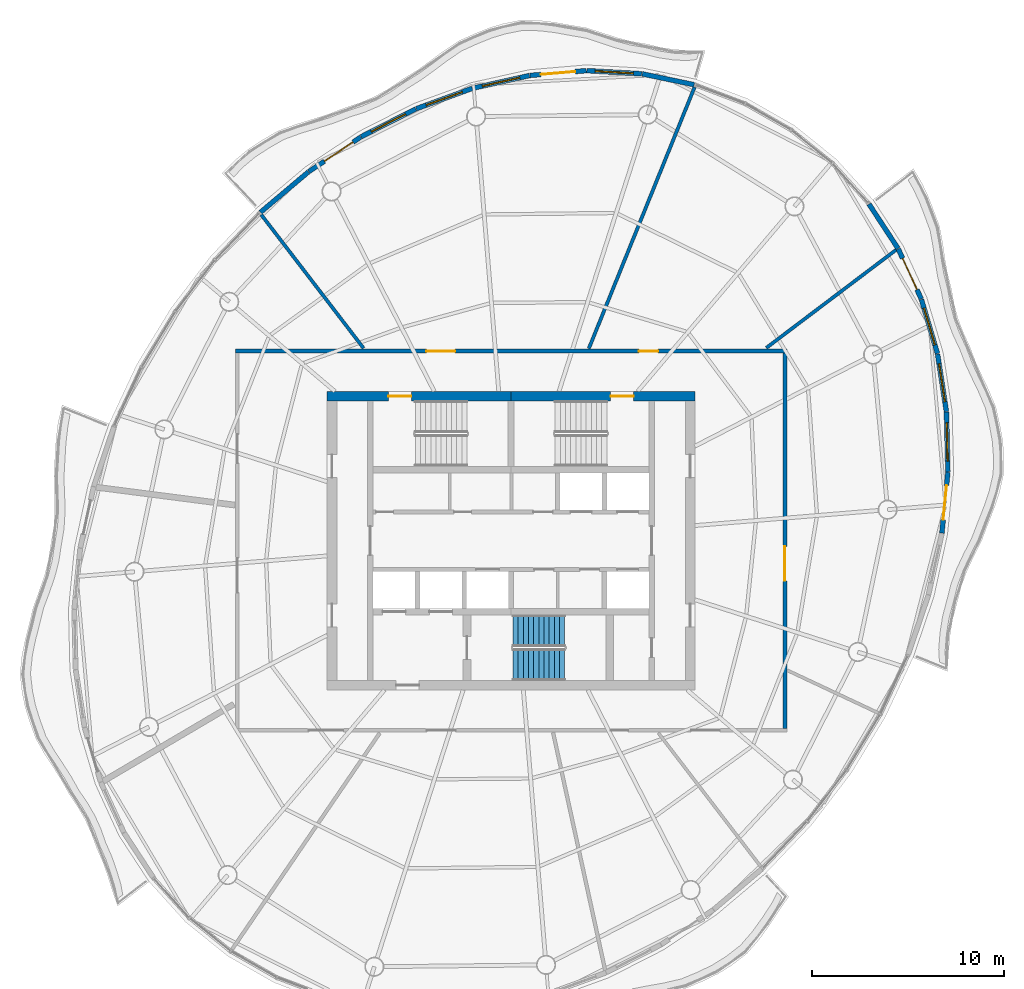
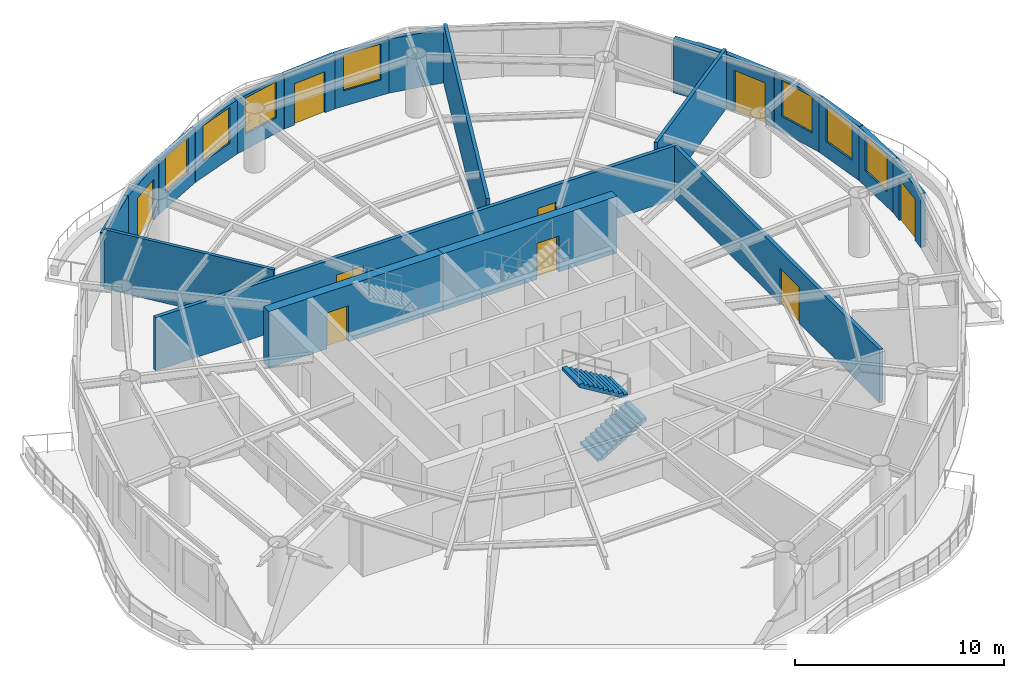
# One storey, part 10 of 14: 21 walls, 9 doors, 7 windows, 2 stair flights, 16 openings, 1 element without a shape of its own.
"""IFC4 building model written with IfcOpenShell, lengths in metres."""

from ifc_helpers import new_model, si_unit, direction, frame, frame_2d, origin, place, context, subcontext, project, spatial, polyline, rectangle, outline, extrude, material, layer, layer_set, type_object, element, fill, aggregate, save


model = new_model("IFC4")

# Units and contexts
model_context = context("Model", 3, precision=1e-05, world=origin(), true_north=direction((0.0, 1.0)))
body_context = subcontext(model_context, "Body", "Model", "MODEL_VIEW")
ifc_project = project(units=[si_unit("LENGTHUNIT", "METRE"), si_unit("AREAUNIT", "SQUARE_METRE"), si_unit("VOLUMEUNIT", "CUBIC_METRE"), si_unit("PLANEANGLEUNIT", "RADIAN"), si_unit("MASSUNIT", "GRAM", prefix="KILO")], contexts=[model_context])

# Site, building, storey
site_placement = place(None, origin())
site = spatial("IfcSite", under=ifc_project, at=site_placement, CompositionType="ELEMENT")
building_placement = place(site_placement, origin())
building = spatial("IfcBuilding", under=site, at=building_placement, Name="Vermilion Reach Broadcast Tower", CompositionType="ELEMENT")
storey_placement = place(building_placement, frame((0.0, 0.0, 257.699951171875)))
storey = spatial("IfcBuildingStorey", under=building, at=storey_placement, Name="L63", CompositionType="ELEMENT", Elevation=257.699951171875)

# Wall, opening, door
ifc_material_1 = material(Name="Concrete C50", Category="concrete")
ifc_layer_1 = layer(ifc_material_1, 0.5)
ifc_layer_set_1 = layer_set([ifc_layer_1], Name="Core outer wall 500 mm Concrete C50")
wall_type_1 = type_object("IfcWallType", Name="Core outer wall 500 mm Concrete C50", PredefinedType="SHEAR", material=ifc_layer_set_1)
wall_1_placement = place(storey_placement, frame((3.60009765625, 7.550048828125, 0.0), z_axis=(0.0, 0.0, 1.0), x_axis=(-1.0, 0.0, 0.0)))
wall_1 = element("IfcWall", 1, at=wall_1_placement, inside=storey, type_object=wall_type_1, Name="L63 core wall onE", PredefinedType="SHEAR", context=body_context, shape_type="SweptSolid", body=[
    extrude(rectangle(XDim=9.60009765625, YDim=0.5, at=frame_2d((4.800048828125, 0.0))), origin(), (0.0, 0.0, 1.0), 3.300048828125),
])
opening_1_placement = place(wall_1_placement, frame((3.199951171875, 0.0, 0.0)))
opening_1 = element("IfcOpeningElement", 2, at=opening_1_placement, cuts=wall_1, Name="Opening D01", PredefinedType="OPENING", context=body_context, shape_type="SweptSolid", body=[
    extrude(rectangle(XDim=1.199951171875, YDim=2.10009765625, at=frame_2d((0.60009765625, 1.050048828125))), frame((0.0, 0.260009765625, 0.0), z_axis=(0.0, -1.0, 0.0), x_axis=(1.0, 0.0, 0.0)), (0.0, 0.0, 1.0), 0.52001953125),
])
ifc_material_2 = material(Name="Painted steel fire door", Category="steel")
door_type_1 = type_object("IfcDoorType", Name="Stair door 1200 x 2100", OperationType="DOUBLE_DOOR_SINGLE_SWING", PredefinedType="NOTDEFINED", material=ifc_material_2)
door_1_placement = place(opening_1_placement, origin())
door_1 = element("IfcDoor", 3, at=door_1_placement, inside=storey, type_object=door_type_1, Name="L63 stair door ST2", OperationType="DOUBLE_DOOR_SINGLE_SWING", OverallHeight=2.10009765625, OverallWidth=1.199951171875, PredefinedType="NOTDEFINED", context=body_context, shape_type="SweptSolid", body=[
    extrude(rectangle(XDim=1.199951171875, YDim=2.10009765625, at=frame_2d((0.60009765625, 1.050048828125))), frame((0.0, 0.02490234375, 0.0), z_axis=(0.0, -1.0, 0.0), x_axis=(1.0, 0.0, 0.0)), (0.0, 0.0, 1.0), 0.050048828125),
])
fill(opening_1, door_1)

wall_2_placement = place(storey_placement, frame((-6.0, 7.550048828125, 0.0), z_axis=(0.0, 0.0, 1.0), x_axis=(-1.0, 0.0, 0.0)))
wall_2 = element("IfcWall", 4, at=wall_2_placement, inside=storey, type_object=wall_type_1, Name="L63 core wall onW", PredefinedType="SHEAR", context=body_context, shape_type="SweptSolid", body=[
    extrude(rectangle(XDim=9.60009765625, YDim=0.5, at=frame_2d((4.800048828125, 0.0))), origin(), (0.0, 0.0, 1.0), 3.300048828125),
])
opening_2_placement = place(wall_2_placement, frame((5.199951171875, 0.0, 0.0)))
opening_2 = element("IfcOpeningElement", 5, at=opening_2_placement, cuts=wall_2, Name="Opening D01", PredefinedType="OPENING", context=body_context, shape_type="SweptSolid", body=[
    extrude(rectangle(XDim=1.199951171875, YDim=2.10009765625, at=frame_2d((0.60009765625, 1.050048828125))), frame((0.0, 0.260009765625, 0.0), z_axis=(0.0, -1.0, 0.0), x_axis=(1.0, 0.0, 0.0)), (0.0, 0.0, 1.0), 0.52001953125),
])
door_2_placement = place(opening_2_placement, origin())
door_2 = element("IfcDoor", 6, at=door_2_placement, inside=storey, type_object=door_type_1, Name="L63 stair door ST1", OperationType="DOUBLE_DOOR_SINGLE_SWING", OverallHeight=2.10009765625, OverallWidth=1.199951171875, PredefinedType="NOTDEFINED", context=body_context, shape_type="SweptSolid", body=[
    extrude(rectangle(XDim=1.199951171875, YDim=2.10009765625, at=frame_2d((0.60009765625, 1.050048828125))), frame((0.0, 0.02490234375, 0.0), z_axis=(0.0, -1.0, 0.0), x_axis=(1.0, 0.0, 0.0)), (0.0, 0.0, 1.0), 0.050048828125),
])
fill(opening_2, door_2)

# Walls
ifc_material_3 = material(Name="Fire-rated block, plastered")
ifc_layer_2 = layer(ifc_material_3, 0.175048828125)
ifc_layer_set_2 = layer_set([ifc_layer_2], Name="Partition 175 fire-rated block")
wall_type_2 = type_object("IfcWallType", Name="Partition 175 fire-rated block", PredefinedType="PARTITIONING", material=ifc_layer_set_2)
wall_3_placement = place(storey_placement, frame((3.58203125, 23.67919921875, 0.0), z_axis=(0.0, 0.0, 1.0), x_axis=(-0.375113366442, -0.926978943837, 0.0)))
element("IfcWall", 7, at=wall_3_placement, inside=storey, type_object=wall_type_2, Name="Partition 63.01", PredefinedType="PARTITIONING", context=body_context, shape_type="SweptSolid", body=[
    extrude(rectangle(XDim=14.721435546875, YDim=0.175048828125, at=frame_2d((7.36083984375, 0.0))), origin(), (0.0, 0.0, 1.0), 3.449951171875),
])
wall_4_placement = place(storey_placement, frame((-19.042236328125, 17.021728515625, 0.0), z_axis=(0.0, 0.0, 1.0), x_axis=(0.608204407096, -0.793780447724, 0.0)))
element("IfcWall", 8, at=wall_4_placement, inside=storey, type_object=wall_type_2, Name="Partition 63.02", PredefinedType="PARTITIONING", context=body_context, shape_type="SweptSolid", body=[
    extrude(rectangle(XDim=8.77880859375, YDim=0.175048828125, at=frame_2d((4.389404296875, 0.0))), origin(), (0.0, 0.0, 1.0), 3.449951171875),
])
wall_5_placement = place(storey_placement, frame((14.106201171875, 15.18798828125, 0.0), z_axis=(0.0, 0.0, 1.0), x_axis=(-0.797935541072, -0.602742791159, 0.0)))
element("IfcWall", 9, at=wall_5_placement, inside=storey, type_object=wall_type_2, Name="Partition 63.09", PredefinedType="PARTITIONING", context=body_context, shape_type="SweptSolid", body=[
    extrude(rectangle(XDim=8.491455078125, YDim=0.175048828125, at=frame_2d((4.24560546875, 0.0))), origin(), (0.0, 0.0, 1.0), 3.449951171875),
])
ifc_material_4 = material(Name="Terracotta rainscreen cladding", Category="masonry")
ifc_layer_3 = layer(ifc_material_4, 0.25)
ifc_layer_set_3 = layer_set([ifc_layer_3], Name="Terracotta rainscreen wall 250")
wall_type_3 = type_object("IfcWallType", Name="Terracotta rainscreen wall 250", PredefinedType="SOLIDWALL", material=ifc_layer_set_3)
wall_6_placement = place(storey_placement, frame((3.563232421875, 23.810546875, 0.0), z_axis=(0.0, 0.0, 1.0), x_axis=(-0.978796787282, 0.20483371111, 0.0)))
element("IfcWall", 10, at=wall_6_placement, inside=storey, type_object=wall_type_3, Name="External wall L63 02", PredefinedType="SOLIDWALL", context=body_context, shape_type="SweptSolid", body=[
    extrude(rectangle(XDim=2.771240234375, YDim=0.25, at=frame_2d((1.3857421875, 0.0))), origin(), (0.0, 0.0, 1.0), 3.150146484375),
])

# Wall, opening, window
wall_7_placement = place(storey_placement, frame((0.824462890625, 24.381591796875, 0.0), z_axis=(0.0, 0.0, 1.0), x_axis=(-0.998361927318, 0.057214177282, 0.0)))
wall_7 = element("IfcWall", 11, at=wall_7_placement, inside=storey, type_object=wall_type_3, Name="External wall L63 03", PredefinedType="SOLIDWALL", context=body_context, shape_type="SweptSolid", body=[
    extrude(rectangle(XDim=2.8759765625, YDim=0.25, at=frame_2d((1.43798828125, 0.0))), origin(), (0.0, 0.0, 1.0), 3.150146484375),
])
opening_3_placement = place(wall_7_placement, frame((0.438232421875, 0.0, 0.89990234375)))
opening_3 = element("IfcOpeningElement", 12, at=opening_3_placement, cuts=wall_7, Name="Opening W03", PredefinedType="OPENING", context=body_context, shape_type="SweptSolid", body=[
    extrude(rectangle(XDim=2.0, YDim=2.10009765625, at=frame_2d((1.0, 1.050048828125))), frame((0.0, 0.135009765625, 0.0), z_axis=(0.0, -1.0, 0.0), x_axis=(1.0, 0.0, 0.0)), (0.0, 0.0, 1.0), 0.27001953125),
])
ifc_material_5 = material(Name="Low-e laminated clear glass in aluminium frame", Category="aluminium")
window_type = type_object("IfcWindowType", Name="Punched window 2000 x 2100 sill 900", PartitioningType="SINGLE_PANEL", PredefinedType="WINDOW", material=ifc_material_5)
window_1_placement = place(opening_3_placement, origin())
window_1 = element("IfcWindow", 13, at=window_1_placement, inside=storey, type_object=window_type, Name="Window L63 03", OverallHeight=2.10009765625, OverallWidth=2.0, PartitioningType="SINGLE_PANEL", PredefinedType="WINDOW", context=body_context, shape_type="SweptSolid", body=[
    extrude(rectangle(XDim=2.0, YDim=2.10009765625, at=frame_2d((1.0, 1.050048828125))), frame((0.0, 0.030029296875, 0.0), z_axis=(0.0, -1.0, 0.0), x_axis=(1.0, 0.0, 0.0)), (0.0, 0.0, 1.0), 0.06005859375),
])
fill(opening_3, window_1)

# Wall, opening, door
wall_8_placement = place(storey_placement, frame((-2.07275390625, 24.545654296875, 0.0), z_axis=(0.0, 0.0, 1.0), x_axis=(-0.996387742916, -0.084920349541, 0.0)))
wall_8 = element("IfcWall", 14, at=wall_8_placement, inside=storey, type_object=wall_type_3, Name="External wall L63 04", PredefinedType="SOLIDWALL", context=body_context, shape_type="SweptSolid", body=[
    extrude(rectangle(XDim=2.95263671875, YDim=0.25, at=frame_2d((1.476318359375, 0.0))), origin(), (0.0, 0.0, 1.0), 3.150146484375),
])
opening_4_placement = place(wall_8_placement, frame((0.575927734375, 0.0, 0.0)))
opening_4 = element("IfcOpeningElement", 15, at=opening_4_placement, cuts=wall_8, Name="Opening D70", PredefinedType="OPENING", context=body_context, shape_type="SweptSolid", body=[
    extrude(rectangle(XDim=1.800048828125, YDim=2.39990234375, at=frame_2d((0.89990234375, 1.199951171875))), frame((0.0, 0.135009765625, 0.0), z_axis=(0.0, -1.0, 0.0), x_axis=(1.0, 0.0, 0.0)), (0.0, 0.0, 1.0), 0.27001953125),
])
ifc_material_6 = material(Name="Low-e laminated clear glass in aluminium frame", Category="aluminium")
door_type_2 = type_object("IfcDoorType", Name="Balcony sliding door 1800 x 2400", OperationType="DOUBLE_DOOR_SLIDING", PredefinedType="DOOR", material=ifc_material_6)
door_3_placement = place(opening_4_placement, origin())
door_3 = element("IfcDoor", 16, at=door_3_placement, inside=storey, type_object=door_type_2, Name="Balcony door L63 run 01", OperationType="DOUBLE_DOOR_SLIDING", OverallHeight=2.39990234375, OverallWidth=1.800048828125, PredefinedType="DOOR", context=body_context, shape_type="SweptSolid", body=[
    extrude(rectangle(XDim=1.800048828125, YDim=2.39990234375, at=frame_2d((0.89990234375, 1.199951171875))), frame((0.0, 0.02490234375, 0.0), z_axis=(0.0, -1.0, 0.0), x_axis=(1.0, 0.0, 0.0)), (0.0, 0.0, 1.0), 0.050048828125),
])
fill(opening_4, door_3)

# Wall, opening, window
wall_9_placement = place(storey_placement, frame((-5.039306640625, 24.291015625, 0.0), z_axis=(0.0, 0.0, 1.0), x_axis=(-0.975828037389, -0.218539793734, 0.0)))
wall_9 = element("IfcWall", 17, at=wall_9_placement, inside=storey, type_object=wall_type_3, Name="External wall L63 05", PredefinedType="SOLIDWALL", context=body_context, shape_type="SweptSolid", body=[
    extrude(rectangle(XDim=3.035400390625, YDim=0.25, at=frame_2d((1.517578125, 0.0))), origin(), (0.0, 0.0, 1.0), 3.150146484375),
])
opening_5_placement = place(wall_9_placement, frame((0.517822265625, 0.0, 0.89990234375)))
opening_5 = element("IfcOpeningElement", 18, at=opening_5_placement, cuts=wall_9, Name="Opening W03", PredefinedType="OPENING", context=body_context, shape_type="SweptSolid", body=[
    extrude(rectangle(XDim=2.0, YDim=2.10009765625, at=frame_2d((1.0, 1.050048828125))), frame((0.0, 0.135009765625, 0.0), z_axis=(0.0, -1.0, 0.0), x_axis=(1.0, 0.0, 0.0)), (0.0, 0.0, 1.0), 0.27001953125),
])
window_2_placement = place(opening_5_placement, origin())
window_2 = element("IfcWindow", 19, at=window_2_placement, inside=storey, type_object=window_type, Name="Window L63 05", OverallHeight=2.10009765625, OverallWidth=2.0, PartitioningType="SINGLE_PANEL", PredefinedType="WINDOW", context=body_context, shape_type="SweptSolid", body=[
    extrude(rectangle(XDim=2.0, YDim=2.10009765625, at=frame_2d((1.0, 1.050048828125))), frame((0.0, 0.030029296875, 0.0), z_axis=(0.0, -1.0, 0.0), x_axis=(1.0, 0.0, 0.0)), (0.0, 0.0, 1.0), 0.06005859375),
])
fill(opening_5, window_2)

wall_10_placement = place(storey_placement, frame((-8.0244140625, 23.62109375, 0.0), z_axis=(0.0, 0.0, 1.0), x_axis=(-0.93980485135, -0.341711634831, 0.0)))
wall_10 = element("IfcWall", 20, at=wall_10_placement, inside=storey, type_object=wall_type_3, Name="External wall L63 06", PredefinedType="SOLIDWALL", context=body_context, shape_type="SweptSolid", body=[
    extrude(rectangle(XDim=3.11865234375, YDim=0.25, at=frame_2d((1.559326171875, 0.0))), origin(), (0.0, 0.0, 1.0), 3.150146484375),
])
opening_6_placement = place(wall_10_placement, frame((0.559326171875, 0.0, 0.89990234375)))
opening_6 = element("IfcOpeningElement", 21, at=opening_6_placement, cuts=wall_10, Name="Opening W03", PredefinedType="OPENING", context=body_context, shape_type="SweptSolid", body=[
    extrude(rectangle(XDim=2.0, YDim=2.10009765625, at=frame_2d((1.0, 1.050048828125))), frame((0.0, 0.135009765625, 0.0), z_axis=(0.0, -1.0, 0.0), x_axis=(1.0, 0.0, 0.0)), (0.0, 0.0, 1.0), 0.27001953125),
])
window_3_placement = place(opening_6_placement, origin())
window_3 = element("IfcWindow", 22, at=window_3_placement, inside=storey, type_object=window_type, Name="Window L63 06", OverallHeight=2.10009765625, OverallWidth=2.0, PartitioningType="SINGLE_PANEL", PredefinedType="WINDOW", context=body_context, shape_type="SweptSolid", body=[
    extrude(rectangle(XDim=2.0, YDim=2.10009765625, at=frame_2d((1.0, 1.050048828125))), frame((0.0, 0.030029296875, 0.0), z_axis=(0.0, -1.0, 0.0), x_axis=(1.0, 0.0, 0.0)), (0.0, 0.0, 1.0), 0.06005859375),
])
fill(opening_6, window_3)

wall_11_placement = place(storey_placement, frame((-10.976806640625, 22.546142578125, 0.0), z_axis=(0.0, 0.0, 1.0), x_axis=(-0.891165922341, -0.453677527389, 0.0)))
wall_11 = element("IfcWall", 23, at=wall_11_placement, inside=storey, type_object=wall_type_3, Name="External wall L63 07", PredefinedType="SOLIDWALL", context=body_context, shape_type="SweptSolid", body=[
    extrude(rectangle(XDim=3.197021484375, YDim=0.25, at=frame_2d((1.5986328125, 0.0))), origin(), (0.0, 0.0, 1.0), 3.150146484375),
])
opening_7_placement = place(wall_11_placement, frame((0.5986328125, 0.0, 0.89990234375)))
opening_7 = element("IfcOpeningElement", 24, at=opening_7_placement, cuts=wall_11, Name="Opening W03", PredefinedType="OPENING", context=body_context, shape_type="SweptSolid", body=[
    extrude(rectangle(XDim=2.0, YDim=2.10009765625, at=frame_2d((1.0, 1.050048828125))), frame((0.0, 0.135009765625, 0.0), z_axis=(0.0, -1.0, 0.0), x_axis=(1.0, 0.0, 0.0)), (0.0, 0.0, 1.0), 0.27001953125),
])
window_4_placement = place(opening_7_placement, origin())
window_4 = element("IfcWindow", 25, at=window_4_placement, inside=storey, type_object=window_type, Name="Window L63 07", OverallHeight=2.10009765625, OverallWidth=2.0, PartitioningType="SINGLE_PANEL", PredefinedType="WINDOW", context=body_context, shape_type="SweptSolid", body=[
    extrude(rectangle(XDim=2.0, YDim=2.10009765625, at=frame_2d((1.0, 1.050048828125))), frame((0.0, 0.030029296875, 0.0), z_axis=(0.0, -1.0, 0.0), x_axis=(1.0, 0.0, 0.0)), (0.0, 0.0, 1.0), 0.06005859375),
])
fill(opening_7, window_4)

# Wall, opening, door
wall_12_placement = place(storey_placement, frame((-13.845458984375, 21.084228515625, 0.0), z_axis=(0.0, 0.0, 1.0), x_axis=(-0.832199778985, -0.554475903767, 0.0)))
wall_12 = element("IfcWall", 26, at=wall_12_placement, inside=storey, type_object=wall_type_3, Name="External wall L63 08", PredefinedType="SOLIDWALL", context=body_context, shape_type="SweptSolid", body=[
    extrude(rectangle(XDim=3.265869140625, YDim=0.25, at=frame_2d((1.6328125, 0.0))), origin(), (0.0, 0.0, 1.0), 3.150146484375),
])
opening_8_placement = place(wall_12_placement, frame((0.48291015625, 0.0, 0.0)))
opening_8 = element("IfcOpeningElement", 27, at=opening_8_placement, cuts=wall_12, Name="Opening D70", PredefinedType="OPENING", context=body_context, shape_type="SweptSolid", body=[
    extrude(rectangle(XDim=1.800048828125, YDim=2.39990234375, at=frame_2d((0.89990234375, 1.199951171875))), frame((0.0, 0.135009765625, 0.0), z_axis=(0.0, -1.0, 0.0), x_axis=(1.0, 0.0, 0.0)), (0.0, 0.0, 1.0), 0.27001953125),
])
door_4_placement = place(opening_8_placement, origin())
door_4 = element("IfcDoor", 28, at=door_4_placement, inside=storey, type_object=door_type_2, Name="Balcony door L63 run 02", OperationType="DOUBLE_DOOR_SLIDING", OverallHeight=2.39990234375, OverallWidth=1.800048828125, PredefinedType="DOOR", context=body_context, shape_type="SweptSolid", body=[
    extrude(rectangle(XDim=1.800048828125, YDim=2.39990234375, at=frame_2d((0.89990234375, 1.199951171875))), frame((0.0, 0.02490234375, 0.0), z_axis=(0.0, -1.0, 0.0), x_axis=(1.0, 0.0, 0.0)), (0.0, 0.0, 1.0), 0.050048828125),
])
fill(opening_8, door_4)

# Wall
wall_13_placement = place(storey_placement, frame((-16.580810546875, 19.26025390625, 0.0), z_axis=(0.0, 0.0, 1.0), x_axis=(-0.764538162014, -0.644578465995, 0.0)))
element("IfcWall", 29, at=wall_13_placement, inside=storey, type_object=wall_type_3, Name="External wall L63 09", PredefinedType="SOLIDWALL", context=body_context, shape_type="SweptSolid", body=[
    extrude(rectangle(XDim=3.276611328125, YDim=0.25, at=frame_2d((1.63818359375, 0.0))), origin(), (0.0, 0.0, 1.0), 3.150146484375),
])

# Wall, opening, door
wall_14_placement = place(storey_placement, frame((16.4970703125, 0.395263671875, 0.0), z_axis=(0.0, 0.0, 1.0), x_axis=(0.097900668903, 0.995196191225, 0.0)))
wall_14 = element("IfcWall", 30, at=wall_14_placement, inside=storey, type_object=wall_type_3, Name="External wall L63 40", PredefinedType="SOLIDWALL", context=body_context, shape_type="SweptSolid", body=[
    extrude(rectangle(XDim=3.197021484375, YDim=0.25, at=frame_2d((1.5986328125, 0.0))), origin(), (0.0, 0.0, 1.0), 3.150146484375),
])
opening_9_placement = place(wall_14_placement, frame((0.698974609375, 0.0, 0.0)))
opening_9 = element("IfcOpeningElement", 31, at=opening_9_placement, cuts=wall_14, Name="Opening D70", PredefinedType="OPENING", context=body_context, shape_type="SweptSolid", body=[
    extrude(rectangle(XDim=1.800048828125, YDim=2.39990234375, at=frame_2d((0.89990234375, 1.199951171875))), frame((0.0, 0.135009765625, 0.0), z_axis=(0.0, -1.0, 0.0), x_axis=(1.0, 0.0, 0.0)), (0.0, 0.0, 1.0), 0.27001953125),
])
door_5_placement = place(opening_9_placement, origin())
door_5 = element("IfcDoor", 32, at=door_5_placement, inside=storey, type_object=door_type_2, Name="Balcony door L63 run 10", OperationType="DOUBLE_DOOR_SLIDING", OverallHeight=2.39990234375, OverallWidth=1.800048828125, PredefinedType="DOOR", context=body_context, shape_type="SweptSolid", body=[
    extrude(rectangle(XDim=1.800048828125, YDim=2.39990234375, at=frame_2d((0.89990234375, 1.199951171875))), frame((0.0, 0.02490234375, 0.0), z_axis=(0.0, -1.0, 0.0), x_axis=(1.0, 0.0, 0.0)), (0.0, 0.0, 1.0), 0.050048828125),
])
fill(opening_9, door_5)

# Wall, opening, window
wall_15_placement = place(storey_placement, frame((16.81103515625, 3.600341796875, 0.0), z_axis=(0.0, 0.0, 1.0), x_axis=(-0.024112016682, 0.999709263062, 0.0)))
wall_15 = element("IfcWall", 33, at=wall_15_placement, inside=storey, type_object=wall_type_3, Name="External wall L63 41", PredefinedType="SOLIDWALL", context=body_context, shape_type="SweptSolid", body=[
    extrude(rectangle(XDim=3.11865234375, YDim=0.25, at=frame_2d((1.559326171875, 0.0))), origin(), (0.0, 0.0, 1.0), 3.150146484375),
])
opening_10_placement = place(wall_15_placement, frame((0.559326171875, 0.0, 0.89990234375)))
opening_10 = element("IfcOpeningElement", 34, at=opening_10_placement, cuts=wall_15, Name="Opening W03", PredefinedType="OPENING", context=body_context, shape_type="SweptSolid", body=[
    extrude(rectangle(XDim=2.0, YDim=2.10009765625, at=frame_2d((1.0, 1.050048828125))), frame((0.0, 0.135009765625, 0.0), z_axis=(0.0, -1.0, 0.0), x_axis=(1.0, 0.0, 0.0)), (0.0, 0.0, 1.0), 0.27001953125),
])
window_5_placement = place(opening_10_placement, origin())
window_5 = element("IfcWindow", 35, at=window_5_placement, inside=storey, type_object=window_type, Name="Window L63 41", OverallHeight=2.10009765625, OverallWidth=2.0, PartitioningType="SINGLE_PANEL", PredefinedType="WINDOW", context=body_context, shape_type="SweptSolid", body=[
    extrude(rectangle(XDim=2.0, YDim=2.10009765625, at=frame_2d((1.0, 1.050048828125))), frame((0.0, 0.030029296875, 0.0), z_axis=(0.0, -1.0, 0.0), x_axis=(1.0, 0.0, 0.0)), (0.0, 0.0, 1.0), 0.06005859375),
])
fill(opening_10, window_5)

wall_16_placement = place(storey_placement, frame((16.733642578125, 6.741943359375, 0.0), z_axis=(0.0, 0.0, 1.0), x_axis=(-0.151930263347, 0.988391215602, 0.0)))
wall_16 = element("IfcWall", 36, at=wall_16_placement, inside=storey, type_object=wall_type_3, Name="External wall L63 42", PredefinedType="SOLIDWALL", context=body_context, shape_type="SweptSolid", body=[
    extrude(rectangle(XDim=3.035400390625, YDim=0.25, at=frame_2d((1.517578125, 0.0))), origin(), (0.0, 0.0, 1.0), 3.150146484375),
])
opening_11_placement = place(wall_16_placement, frame((0.517822265625, 0.0, 0.89990234375)))
opening_11 = element("IfcOpeningElement", 37, at=opening_11_placement, cuts=wall_16, Name="Opening W03", PredefinedType="OPENING", context=body_context, shape_type="SweptSolid", body=[
    extrude(rectangle(XDim=2.0, YDim=2.10009765625, at=frame_2d((1.0, 1.050048828125))), frame((0.0, 0.135009765625, 0.0), z_axis=(0.0, -1.0, 0.0), x_axis=(1.0, 0.0, 0.0)), (0.0, 0.0, 1.0), 0.27001953125),
])
window_6_placement = place(opening_11_placement, origin())
window_6 = element("IfcWindow", 38, at=window_6_placement, inside=storey, type_object=window_type, Name="Window L63 42", OverallHeight=2.10009765625, OverallWidth=2.0, PartitioningType="SINGLE_PANEL", PredefinedType="WINDOW", context=body_context, shape_type="SweptSolid", body=[
    extrude(rectangle(XDim=2.0, YDim=2.10009765625, at=frame_2d((1.0, 1.050048828125))), frame((0.0, 0.030029296875, 0.0), z_axis=(0.0, -1.0, 0.0), x_axis=(1.0, 0.0, 0.0)), (0.0, 0.0, 1.0), 0.06005859375),
])
fill(opening_11, window_6)

wall_17_placement = place(storey_placement, frame((16.26708984375, 9.7666015625, 0.0), z_axis=(0.0, 0.0, 1.0), x_axis=(-0.283795508972, 0.958884825768, 0.0)))
wall_17 = element("IfcWall", 39, at=wall_17_placement, inside=storey, type_object=wall_type_3, Name="External wall L63 43", PredefinedType="SOLIDWALL", context=body_context, shape_type="SweptSolid", body=[
    extrude(rectangle(XDim=2.952392578125, YDim=0.25, at=frame_2d((1.47607421875, 0.0))), origin(), (0.0, 0.0, 1.0), 3.150146484375),
])
opening_12_placement = place(wall_17_placement, frame((0.476318359375, 0.0, 0.89990234375)))
opening_12 = element("IfcOpeningElement", 40, at=opening_12_placement, cuts=wall_17, Name="Opening W03", PredefinedType="OPENING", context=body_context, shape_type="SweptSolid", body=[
    extrude(rectangle(XDim=2.0, YDim=2.10009765625, at=frame_2d((1.0, 1.050048828125))), frame((0.0, 0.135009765625, 0.0), z_axis=(0.0, -1.0, 0.0), x_axis=(1.0, 0.0, 0.0)), (0.0, 0.0, 1.0), 0.27001953125),
])
window_7_placement = place(opening_12_placement, origin())
window_7 = element("IfcWindow", 41, at=window_7_placement, inside=storey, type_object=window_type, Name="Window L63 43", OverallHeight=2.10009765625, OverallWidth=2.0, PartitioningType="SINGLE_PANEL", PredefinedType="WINDOW", context=body_context, shape_type="SweptSolid", body=[
    extrude(rectangle(XDim=2.0, YDim=2.10009765625, at=frame_2d((1.0, 1.050048828125))), frame((0.0, 0.030029296875, 0.0), z_axis=(0.0, -1.0, 0.0), x_axis=(1.0, 0.0, 0.0)), (0.0, 0.0, 1.0), 0.06005859375),
])
fill(opening_12, window_7)

# Wall, opening, door
wall_18_placement = place(storey_placement, frame((15.420166015625, 12.621826171875, 0.0), z_axis=(0.0, 0.0, 1.0), x_axis=(-0.416844676261, 0.908977731231, 0.0)))
wall_18 = element("IfcWall", 42, at=wall_18_placement, inside=storey, type_object=wall_type_3, Name="External wall L63 44", PredefinedType="SOLIDWALL", context=body_context, shape_type="SweptSolid", body=[
    extrude(rectangle(XDim=2.876220703125, YDim=0.25, at=frame_2d((1.43798828125, 0.0))), origin(), (0.0, 0.0, 1.0), 3.150146484375),
])
opening_13_placement = place(wall_18_placement, frame((0.5380859375, 0.0, 0.0)))
opening_13 = element("IfcOpeningElement", 43, at=opening_13_placement, cuts=wall_18, Name="Opening D70", PredefinedType="OPENING", context=body_context, shape_type="SweptSolid", body=[
    extrude(rectangle(XDim=1.800048828125, YDim=2.39990234375, at=frame_2d((0.89990234375, 1.199951171875))), frame((0.0, 0.135009765625, 0.0), z_axis=(0.0, -1.0, 0.0), x_axis=(1.0, 0.0, 0.0)), (0.0, 0.0, 1.0), 0.27001953125),
])
door_6_placement = place(opening_13_placement, origin())
door_6 = element("IfcDoor", 44, at=door_6_placement, inside=storey, type_object=door_type_2, Name="Balcony door L63 run 11", OperationType="DOUBLE_DOOR_SLIDING", OverallHeight=2.39990234375, OverallWidth=1.800048828125, PredefinedType="DOOR", context=body_context, shape_type="SweptSolid", body=[
    extrude(rectangle(XDim=1.800048828125, YDim=2.39990234375, at=frame_2d((0.89990234375, 1.199951171875))), frame((0.0, 0.02490234375, 0.0), z_axis=(0.0, -1.0, 0.0), x_axis=(1.0, 0.0, 0.0)), (0.0, 0.0, 1.0), 0.050048828125),
])
fill(opening_13, door_6)

# Wall
wall_19_placement = place(storey_placement, frame((14.208251953125, 15.259521484375, 0.0), z_axis=(0.0, 0.0, 1.0), x_axis=(-0.547256484876, 0.836964957308, 0.0)))
element("IfcWall", 45, at=wall_19_placement, inside=storey, type_object=wall_type_3, Name="External wall L63 45", PredefinedType="SOLIDWALL", context=body_context, shape_type="SweptSolid", body=[
    extrude(rectangle(XDim=2.770751953125, YDim=0.25, at=frame_2d((1.38525390625, 0.0))), origin(), (0.0, 0.0, 1.0), 3.150146484375),
])

# Wall, openings, doors
ifc_material_7 = material(Name="Fire-rated gypsum board partition")
ifc_layer_4 = layer(ifc_material_7, 0.199951171875)
ifc_layer_set_4 = layer_set([ifc_layer_4], Name="Under girder: Corridor wall 200 fire-rated")
wall_type_4 = type_object("IfcWallType", Name="Under girder: Corridor wall 200 fire-rated", PredefinedType="PARTITIONING", material=ifc_layer_set_4)
wall_20_placement = place(storey_placement, frame((-20.39990234375, 9.89990234375, 0.0), z_axis=(0.0, 0.0, 1.0), x_axis=(1.0, 0.0, 0.0)))
wall_20 = element("IfcWall", 46, at=wall_20_placement, inside=storey, type_object=wall_type_4, Name="Corridor wall 63.N", PredefinedType="PARTITIONING", context=body_context, shape_type="SweptSolid", body=[
    extrude(rectangle(XDim=28.7998046875, YDim=0.199951171875, at=frame_2d((14.39990234375, 0.0))), origin(), (0.0, 0.0, 1.0), 3.10009765625),
])
opening_14_placement = place(wall_20_placement, frame((9.9755859375, 0.0, 0.0)))
opening_14 = element("IfcOpeningElement", 47, at=opening_14_placement, cuts=wall_20, Name="Opening D24", PredefinedType="OPENING", context=body_context, shape_type="SweptSolid", body=[
    extrude(rectangle(XDim=1.5, YDim=2.10009765625, at=frame_2d((0.75, 1.050048828125))), frame((0.0, 0.10986328125, 0.0), z_axis=(0.0, -1.0, 0.0), x_axis=(1.0, 0.0, 0.0)), (0.0, 0.0, 1.0), 0.219970703125),
])
opening_15_placement = place(wall_20_placement, frame((21.0791015625, 0.0, 0.0)))
opening_15 = element("IfcOpeningElement", 48, at=opening_15_placement, cuts=wall_20, Name="Opening D20", PredefinedType="OPENING", context=body_context, shape_type="SweptSolid", body=[
    extrude(rectangle(XDim=1.0, YDim=2.10009765625, at=frame_2d((0.5, 1.050048828125))), frame((0.0, 0.10986328125, 0.0), z_axis=(0.0, -1.0, 0.0), x_axis=(1.0, 0.0, 0.0)), (0.0, 0.0, 1.0), 0.219970703125),
])
ifc_material_8 = material(Name="Timber door leaf", Category="wood")
door_type_3 = type_object("IfcDoorType", Name="Door pair 1500x2100", OperationType="NOTDEFINED", PredefinedType="DOOR", material=ifc_material_8)
door_7_placement = place(opening_14_placement, origin())
door_7 = element("IfcDoor", 49, at=door_7_placement, inside=storey, type_object=door_type_3, Name="Door 63.01", OperationType="DOUBLE_DOOR_SINGLE_SWING", OverallHeight=2.10009765625, OverallWidth=1.5, PredefinedType="DOOR", context=body_context, shape_type="SweptSolid", body=[
    extrude(rectangle(XDim=1.5, YDim=2.10009765625, at=frame_2d((0.75, 1.050048828125))), frame((0.0, 0.02490234375, 0.0), z_axis=(0.0, -1.0, 0.0), x_axis=(1.0, 0.0, 0.0)), (0.0, 0.0, 1.0), 0.050048828125),
])
fill(opening_14, door_7)
ifc_material_9 = material(Name="Timber door leaf", Category="wood")
door_type_4 = type_object("IfcDoorType", Name="Door single 1000x2100", OperationType="NOTDEFINED", PredefinedType="DOOR", material=ifc_material_9)
door_8_placement = place(opening_15_placement, origin())
door_8 = element("IfcDoor", 50, at=door_8_placement, inside=storey, type_object=door_type_4, Name="Door 63.09", OperationType="SINGLE_SWING_LEFT", OverallHeight=2.10009765625, OverallWidth=1.0, PredefinedType="DOOR", context=body_context, shape_type="SweptSolid", body=[
    extrude(rectangle(XDim=1.0, YDim=2.10009765625, at=frame_2d((0.5, 1.050048828125))), frame((0.0, 0.02490234375, 0.0), z_axis=(0.0, -1.0, 0.0), x_axis=(1.0, 0.0, 0.0)), (0.0, 0.0, 1.0), 0.050048828125),
])
fill(opening_15, door_8)

# Wall, opening, door
wall_21_placement = place(storey_placement, frame((8.300048828125, 9.800048828125, 0.0), z_axis=(0.0, 0.0, 1.0), x_axis=(0.0, -1.0, 0.0)))
wall_21 = element("IfcWall", 51, at=wall_21_placement, inside=storey, type_object=wall_type_4, Name="Corridor wall 63.E", PredefinedType="PARTITIONING", context=body_context, shape_type="SweptSolid", body=[
    extrude(rectangle(XDim=19.60009765625, YDim=0.199951171875, at=frame_2d((9.800048828125, 0.0))), origin(), (0.0, 0.0, 1.0), 3.10009765625),
])
opening_16_placement = place(wall_21_placement, frame((10.093994140625, 0.0, 0.0)))
opening_16 = element("IfcOpeningElement", 52, at=opening_16_placement, cuts=wall_21, Name="Opening D21", PredefinedType="OPENING", context=body_context, shape_type="SweptSolid", body=[
    extrude(rectangle(XDim=1.800048828125, YDim=2.10009765625, at=frame_2d((0.89990234375, 1.050048828125))), frame((0.0, 0.10986328125, 0.0), z_axis=(0.0, -1.0, 0.0), x_axis=(1.0, 0.0, 0.0)), (0.0, 0.0, 1.0), 0.219970703125),
])
ifc_material_10 = material(Name="Timber door leaf", Category="wood")
door_type_5 = type_object("IfcDoorType", Name="Door pair 1800x2100", OperationType="NOTDEFINED", PredefinedType="DOOR", material=ifc_material_10)
door_9_placement = place(opening_16_placement, origin())
door_9 = element("IfcDoor", 53, at=door_9_placement, inside=storey, type_object=door_type_5, Name="Door 63.08", OperationType="DOUBLE_DOOR_SINGLE_SWING", OverallHeight=2.10009765625, OverallWidth=1.800048828125, PredefinedType="DOOR", context=body_context, shape_type="SweptSolid", body=[
    extrude(rectangle(XDim=1.800048828125, YDim=2.10009765625, at=frame_2d((0.89990234375, 1.050048828125))), frame((0.0, 0.02490234375, 0.0), z_axis=(0.0, -1.0, 0.0), x_axis=(1.0, 0.0, 0.0)), (0.0, 0.0, 1.0), 0.050048828125),
])
fill(opening_16, door_9)

# Stair, stair flights
ifc_material_11 = material(Name="Concrete C40", Category="concrete")
stair_type = type_object("IfcStairType", Name="Exit stair RC 22 risers 164 mm", PredefinedType="HALF_TURN_STAIR", material=ifc_material_11)
stair_placement = place(storey_placement, origin())
stair = element("IfcStair", 54, at=stair_placement, inside=storey, type_object=stair_type, Name="L63 Exit stair ST3", PredefinedType="HALF_TURN_STAIR")
ifc_material_12 = material(Name="Concrete C40", Category="concrete")
stair_flight_type = type_object("IfcStairFlightType", Name="Exit stair flight RC 11 risers", PredefinedType="STRAIGHT", material=ifc_material_12)
stair_flight_1_placement = place(storey_placement, frame((-5.89990234375, -6.469970703125, 0.0), z_axis=(0.0, 0.0, 1.0), x_axis=(1.0, 0.0, 0.0)))
stair_flight_1 = element("IfcStairFlight", 55, at=stair_flight_1_placement, type_object=stair_flight_type, Name="ST3 flight 1", NumberOfRisers=11, NumberOfTreads=10, PredefinedType="STRAIGHT", RiserHeight=0.163636364, TreadLength=0.27, context=body_context, shape_type="SweptSolid", body=[
    extrude(outline(polyline([(0.0, 0.0), (0.0, 0.16357421875), (0.27001953125, 0.16357421875), (0.27001953125, 0.327392578125), (0.5400390625, 0.327392578125), (0.5400390625, 0.490966796875), (0.81005859375, 0.490966796875), (0.81005859375, 0.654541015625), (1.080078125, 0.654541015625), (1.080078125, 0.818115234375), (1.35009765625, 0.818115234375), (1.35009765625, 0.98193359375), (1.6201171875, 0.98193359375), (1.6201171875, 1.1455078125), (1.889892578125, 1.1455078125), (1.889892578125, 1.30908203125), (2.159912109375, 1.30908203125), (2.159912109375, 1.47265625), (2.429931640625, 1.47265625), (2.429931640625, 1.636474609375), (2.699951171875, 1.636474609375), (2.699951171875, 1.800048828125), (2.699951171875, 1.461181640625), (0.289306640625, 0.0), (0.0, 0.0)])), frame((0.0, 0.830078125, 0.0), z_axis=(0.0, -1.0, 0.0), x_axis=(1.0, 0.0, 0.0)), (0.0, 0.0, 1.0), 1.659912109375),
])
stair_flight_2_placement = place(storey_placement, frame((-3.199951171875, -4.7099609375, 1.800048828125), z_axis=(0.0, 0.0, 1.0), x_axis=(-1.0, 0.0, 0.0)))
stair_flight_2 = element("IfcStairFlight", 56, at=stair_flight_2_placement, type_object=stair_flight_type, Name="ST3 flight 2", NumberOfRisers=11, NumberOfTreads=10, PredefinedType="STRAIGHT", RiserHeight=0.163636364, TreadLength=0.27, context=body_context, shape_type="SweptSolid", body=[
    extrude(outline(polyline([(0.0, 0.0), (0.0, 0.16357421875), (0.27001953125, 0.16357421875), (0.27001953125, 0.327392578125), (0.5400390625, 0.327392578125), (0.5400390625, 0.490966796875), (0.81005859375, 0.490966796875), (0.81005859375, 0.654541015625), (1.080078125, 0.654541015625), (1.080078125, 0.818115234375), (1.35009765625, 0.818115234375), (1.35009765625, 0.98193359375), (1.6201171875, 0.98193359375), (1.6201171875, 1.1455078125), (1.889892578125, 1.1455078125), (1.889892578125, 1.30908203125), (2.159912109375, 1.30908203125), (2.159912109375, 1.47265625), (2.429931640625, 1.47265625), (2.429931640625, 1.636474609375), (2.699951171875, 1.636474609375), (2.699951171875, 1.800048828125), (2.699951171875, 1.461181640625), (0.289306640625, 0.0), (0.0, 0.0)])), frame((0.0, 0.830078125, 0.0), z_axis=(0.0, -1.0, 0.0), x_axis=(1.0, 0.0, 0.0)), (0.0, 0.0, 1.0), 1.659912109375),
])
aggregate(stair, [stair_flight_1, stair_flight_2])

save(model, "model.ifc")
